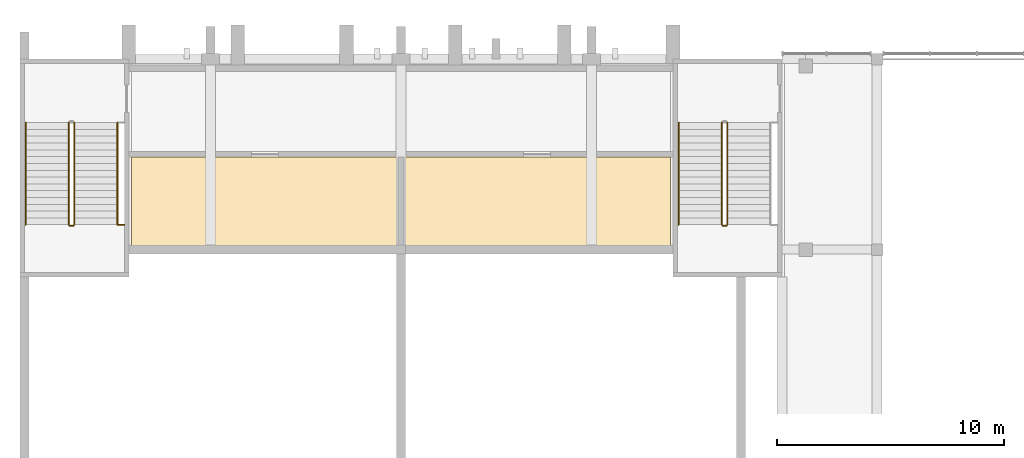
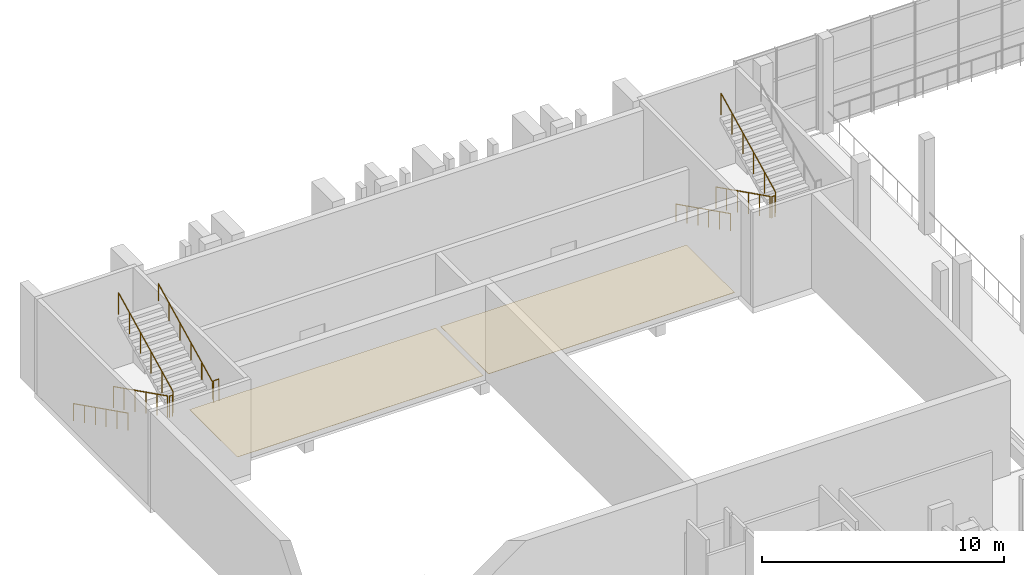
# One storey, part 90 of 100: 10 railings, 2 coverings.
"""IFC4 building model written with IfcOpenShell, lengths in metres."""

from ifc_helpers import new_model, si_unit, direction, frame, origin, origin_2d, place, context, subcontext, project, spatial, polyline, circle, outline, extrude, material, layer, layer_set, type_object, element, save


model = new_model("IFC4")

# Units and contexts
model_context = context("Model", 3, precision=1e-05, world=origin(), true_north=direction((0.0, 1.0)))
body_context = subcontext(model_context, "Body", "Model", "MODEL_VIEW")
ifc_project = project(units=[si_unit("LENGTHUNIT", "METRE"), si_unit("AREAUNIT", "SQUARE_METRE"), si_unit("VOLUMEUNIT", "CUBIC_METRE"), si_unit("PLANEANGLEUNIT", "RADIAN"), si_unit("MASSUNIT", "GRAM", prefix="KILO")], contexts=[model_context])

# Site, building, storey
site_placement = place(None, origin())
site = spatial("IfcSite", under=ifc_project, at=site_placement, CompositionType="ELEMENT")
building_placement = place(site_placement, origin())
building = spatial("IfcBuilding", under=site, at=building_placement, Name="Kiln Court Media Centre", CompositionType="ELEMENT")
storey_placement = place(building_placement, frame((0.0, 0.0, 15.0)))
storey = spatial("IfcBuildingStorey", under=building, at=storey_placement, Name="L03", CompositionType="ELEMENT", Elevation=15.0)

# Coverings
ifc_material_1 = material(Name="Carpet tile")
ifc_layer = layer(ifc_material_1, 0.014892578125)
ifc_layer_set = layer_set([ifc_layer], Name="Carpet tile floor finish 15")
covering_type = type_object("IfcCoveringType", Name="Carpet tile floor finish 15", PredefinedType="FLOORING", material=ifc_layer_set)
covering_1_placement = place(storey_placement, origin())
element("IfcCovering", 1, at=covering_1_placement, inside=storey, type_object=covering_type, Name="Projection Room Screen 5 floor finish", PredefinedType="FLOORING", context=body_context, shape_type="SweptSolid", body=[
    extrude(outline(polyline([(16.679931640625, 62.8798828125), (4.919921875, 62.8798828125), (4.919921875, 58.919921875), (16.679931640625, 58.919921875), (16.679931640625, 62.8798828125)])), origin(), (0.0, 0.0, 1.0), 0.014892578125),
])
covering_2_placement = place(storey_placement, origin())
element("IfcCovering", 2, at=covering_2_placement, inside=storey, type_object=covering_type, Name="Projection Room Screen 6 floor finish", PredefinedType="FLOORING", context=body_context, shape_type="SweptSolid", body=[
    extrude(outline(polyline([(16.919921875, 58.919921875), (28.679931640625, 58.919921875), (28.679931640625, 62.8798828125), (16.919921875, 62.8798828125), (16.919921875, 58.919921875)])), origin(), (0.0, 0.0, 1.0), 0.014892578125),
])

# Railings
ifc_material_2 = material(Name="Steel S275", Category="steel")
railing_type_1 = type_object("IfcRailingType", Name="Steel S275 stair guard 1100", PredefinedType="GUARDRAIL", material=ifc_material_2)
railing_1_placement = place(storey_placement, frame((2.14990234375, 64.39990234375, 0.14990234375)))
element("IfcRailing", 3, at=railing_1_placement, inside=storey, type_object=railing_type_1, Name="ST-07 stair guard", PredefinedType="GUARDRAIL", context=body_context, shape_type="SweptSolid", body=[
    extrude(circle(Radius=0.02392578125, at=origin_2d()), frame((0.0, 0.0, 1.076171875), z_axis=(0.0, -0.894427191, 0.4472135955), x_axis=(1.0, 0.0, 0.0)), (0.0, 0.0, 1.0), 5.03125),
    extrude(circle(Radius=0.02099609375, at=origin_2d()), origin(), (0.0, 0.0, 1.0), 1.052001953125),
    extrude(circle(Radius=0.02099609375, at=origin_2d()), frame((0.0, -0.89990234375, 0.449951171875)), (0.0, 0.0, 1.0), 1.052001953125),
    extrude(circle(Radius=0.02099609375, at=origin_2d()), frame((0.0, -1.800048828125, 0.89990234375)), (0.0, 0.0, 1.0), 1.052001953125),
    extrude(circle(Radius=0.02099609375, at=origin_2d()), frame((0.0, -2.699951171875, 1.35009765625)), (0.0, 0.0, 1.0), 1.052001953125),
    extrude(circle(Radius=0.02099609375, at=origin_2d()), frame((0.0, -3.60009765625, 1.800048828125)), (0.0, 0.0, 1.0), 1.052001953125),
    extrude(circle(Radius=0.02099609375, at=origin_2d()), frame((0.0, -4.5, 2.25)), (0.0, 0.0, 1.0), 1.052001953125),
])
railing_2_placement = place(storey_placement, frame((2.199951171875, 59.85009765625, 2.39990234375)))
element("IfcRailing", 4, at=railing_2_placement, inside=storey, type_object=railing_type_1, Name="ST-07 stair guard", PredefinedType="GUARDRAIL", context=body_context, shape_type="SweptSolid", body=[
    extrude(circle(Radius=0.02392578125, at=origin_2d()), frame((0.0, 0.0, 1.076171875), z_axis=(1.0, 0.0, 0.0), x_axis=(0.0, 1.0, 0.0)), (0.0, 0.0, 1.0), 0.150146484375),
    extrude(circle(Radius=0.02099609375, at=origin_2d()), origin(), (0.0, 0.0, 1.0), 1.052001953125),
    extrude(circle(Radius=0.02099609375, at=origin_2d()), frame((0.150146484375, 0.0, 0.0)), (0.0, 0.0, 1.0), 1.052001953125),
])
railing_3_placement = place(storey_placement, frame((2.39990234375, 59.89990234375, 2.550048828125)))
element("IfcRailing", 5, at=railing_3_placement, inside=storey, type_object=railing_type_1, Name="ST-07 stair guard", PredefinedType="GUARDRAIL", context=body_context, shape_type="SweptSolid", body=[
    extrude(circle(Radius=0.02392578125, at=origin_2d()), frame((0.0, 0.0, 1.076171875), z_axis=(0.0, 0.894427191, 0.4472135955), x_axis=(-1.0, 0.0, 0.0)), (0.0, 0.0, 1.0), 5.03125),
    extrude(circle(Radius=0.02099609375, at=origin_2d()), origin(), (0.0, 0.0, 1.0), 1.052001953125),
    extrude(circle(Radius=0.02099609375, at=origin_2d()), frame((0.0, 0.89990234375, 0.449951171875)), (0.0, 0.0, 1.0), 1.052001953125),
    extrude(circle(Radius=0.02099609375, at=origin_2d()), frame((0.0, 1.800048828125, 0.89990234375)), (0.0, 0.0, 1.0), 1.052001953125),
    extrude(circle(Radius=0.02099609375, at=origin_2d()), frame((0.0, 2.699951171875, 1.35009765625)), (0.0, 0.0, 1.0), 1.052001953125),
    extrude(circle(Radius=0.02099609375, at=origin_2d()), frame((0.0, 3.60009765625, 1.800048828125)), (0.0, 0.0, 1.0), 1.052001953125),
    extrude(circle(Radius=0.02099609375, at=origin_2d()), frame((0.0, 4.5, 2.25)), (0.0, 0.0, 1.0), 1.052001953125),
])
railing_4_placement = place(storey_placement, frame((4.35009765625, 59.89990234375, 2.39990234375)))
element("IfcRailing", 6, at=railing_4_placement, inside=storey, type_object=railing_type_1, Name="ST-07 landing edge guard", PredefinedType="GUARDRAIL", context=body_context, shape_type="SweptSolid", body=[
    extrude(circle(Radius=0.02392578125, at=origin_2d()), frame((0.0, 0.0, 1.076171875), z_axis=(1.0, 0.0, 0.0), x_axis=(0.0, 1.0, 0.0)), (0.0, 0.0, 1.0), 0.25),
    extrude(circle(Radius=0.02099609375, at=origin_2d()), origin(), (0.0, 0.0, 1.0), 1.052001953125),
    extrude(circle(Radius=0.02099609375, at=origin_2d()), frame((0.25, 0.0, 0.0)), (0.0, 0.0, 1.0), 1.052001953125),
])
railing_5_placement = place(storey_placement, frame((30.949951171875, 64.39990234375, 0.14990234375)))
element("IfcRailing", 7, at=railing_5_placement, inside=storey, type_object=railing_type_1, Name="ST-08 stair guard", PredefinedType="GUARDRAIL", context=body_context, shape_type="SweptSolid", body=[
    extrude(circle(Radius=0.02392578125, at=origin_2d()), frame((0.0, 0.0, 1.076171875), z_axis=(0.0, -0.894427191, 0.4472135955), x_axis=(1.0, 0.0, 0.0)), (0.0, 0.0, 1.0), 5.03125),
    extrude(circle(Radius=0.02099609375, at=origin_2d()), origin(), (0.0, 0.0, 1.0), 1.052001953125),
    extrude(circle(Radius=0.02099609375, at=origin_2d()), frame((0.0, -0.89990234375, 0.449951171875)), (0.0, 0.0, 1.0), 1.052001953125),
    extrude(circle(Radius=0.02099609375, at=origin_2d()), frame((0.0, -1.800048828125, 0.89990234375)), (0.0, 0.0, 1.0), 1.052001953125),
    extrude(circle(Radius=0.02099609375, at=origin_2d()), frame((0.0, -2.699951171875, 1.35009765625)), (0.0, 0.0, 1.0), 1.052001953125),
    extrude(circle(Radius=0.02099609375, at=origin_2d()), frame((0.0, -3.60009765625, 1.800048828125)), (0.0, 0.0, 1.0), 1.052001953125),
    extrude(circle(Radius=0.02099609375, at=origin_2d()), frame((0.0, -4.5, 2.25)), (0.0, 0.0, 1.0), 1.052001953125),
])
railing_6_placement = place(storey_placement, frame((31.0, 59.85009765625, 2.39990234375)))
element("IfcRailing", 8, at=railing_6_placement, inside=storey, type_object=railing_type_1, Name="ST-08 stair guard", PredefinedType="GUARDRAIL", context=body_context, shape_type="SweptSolid", body=[
    extrude(circle(Radius=0.02392578125, at=origin_2d()), frame((0.0, 0.0, 1.076171875), z_axis=(1.0, 0.0, 0.0), x_axis=(0.0, 1.0, 0.0)), (0.0, 0.0, 1.0), 0.14990234375),
    extrude(circle(Radius=0.02099609375, at=origin_2d()), origin(), (0.0, 0.0, 1.0), 1.052001953125),
    extrude(circle(Radius=0.02099609375, at=origin_2d()), frame((0.14990234375, 0.0, 0.0)), (0.0, 0.0, 1.0), 1.052001953125),
])
railing_7_placement = place(storey_placement, frame((31.199951171875, 59.89990234375, 2.550048828125)))
element("IfcRailing", 9, at=railing_7_placement, inside=storey, type_object=railing_type_1, Name="ST-08 stair guard", PredefinedType="GUARDRAIL", context=body_context, shape_type="SweptSolid", body=[
    extrude(circle(Radius=0.02392578125, at=origin_2d()), frame((0.0, 0.0, 1.076171875), z_axis=(0.0, 0.894427191, 0.4472135955), x_axis=(-1.0, 0.0, 0.0)), (0.0, 0.0, 1.0), 5.03125),
    extrude(circle(Radius=0.02099609375, at=origin_2d()), origin(), (0.0, 0.0, 1.0), 1.052001953125),
    extrude(circle(Radius=0.02099609375, at=origin_2d()), frame((0.0, 0.89990234375, 0.449951171875)), (0.0, 0.0, 1.0), 1.052001953125),
    extrude(circle(Radius=0.02099609375, at=origin_2d()), frame((0.0, 1.800048828125, 0.89990234375)), (0.0, 0.0, 1.0), 1.052001953125),
    extrude(circle(Radius=0.02099609375, at=origin_2d()), frame((0.0, 2.699951171875, 1.35009765625)), (0.0, 0.0, 1.0), 1.052001953125),
    extrude(circle(Radius=0.02099609375, at=origin_2d()), frame((0.0, 3.60009765625, 1.800048828125)), (0.0, 0.0, 1.0), 1.052001953125),
    extrude(circle(Radius=0.02099609375, at=origin_2d()), frame((0.0, 4.5, 2.25)), (0.0, 0.0, 1.0), 1.052001953125),
])
ifc_material_3 = material(Name="Steel S275", Category="steel")
railing_type_2 = type_object("IfcRailingType", Name="Steel S275 stair handrail 900", PredefinedType="HANDRAIL", material=ifc_material_3)
railing_8_placement = place(storey_placement, frame((0.25, 64.39990234375, 0.14990234375)))
element("IfcRailing", 10, at=railing_8_placement, inside=storey, type_object=railing_type_2, Name="ST-07 stair handrail", PredefinedType="HANDRAIL", context=body_context, shape_type="SweptSolid", body=[
    extrude(circle(Radius=0.02392578125, at=origin_2d()), frame((0.0, 0.0, 0.8759765625), z_axis=(0.0, -0.894427191, 0.4472135955), x_axis=(1.0, 0.0, 0.0)), (0.0, 0.0, 1.0), 5.03125),
    extrude(circle(Radius=0.02099609375, at=origin_2d()), origin(), (0.0, 0.0, 1.0), 0.851806640625),
    extrude(circle(Radius=0.02099609375, at=origin_2d()), frame((0.0, -0.89990234375, 0.449951171875)), (0.0, 0.0, 1.0), 0.851806640625),
    extrude(circle(Radius=0.02099609375, at=origin_2d()), frame((0.0, -1.800048828125, 0.89990234375)), (0.0, 0.0, 1.0), 0.851806640625),
    extrude(circle(Radius=0.02099609375, at=origin_2d()), frame((0.0, -2.699951171875, 1.35009765625)), (0.0, 0.0, 1.0), 0.851806640625),
    extrude(circle(Radius=0.02099609375, at=origin_2d()), frame((0.0, -3.60009765625, 1.800048828125)), (0.0, 0.0, 1.0), 0.851806640625),
    extrude(circle(Radius=0.02099609375, at=origin_2d()), frame((0.0, -4.5, 2.25)), (0.0, 0.0, 1.0), 0.851806640625),
])
railing_9_placement = place(storey_placement, frame((4.300048828125, 59.89990234375, 2.550048828125)))
element("IfcRailing", 11, at=railing_9_placement, inside=storey, type_object=railing_type_2, Name="ST-07 stair handrail", PredefinedType="HANDRAIL", context=body_context, shape_type="SweptSolid", body=[
    extrude(circle(Radius=0.02392578125, at=origin_2d()), frame((0.0, 0.0, 0.8759765625), z_axis=(0.0, 0.894427191, 0.4472135955), x_axis=(-1.0, 0.0, 0.0)), (0.0, 0.0, 1.0), 5.03125),
    extrude(circle(Radius=0.02099609375, at=origin_2d()), origin(), (0.0, 0.0, 1.0), 0.851806640625),
    extrude(circle(Radius=0.02099609375, at=origin_2d()), frame((0.0, 0.89990234375, 0.449951171875)), (0.0, 0.0, 1.0), 0.851806640625),
    extrude(circle(Radius=0.02099609375, at=origin_2d()), frame((0.0, 1.800048828125, 0.89990234375)), (0.0, 0.0, 1.0), 0.851806640625),
    extrude(circle(Radius=0.02099609375, at=origin_2d()), frame((0.0, 2.699951171875, 1.35009765625)), (0.0, 0.0, 1.0), 0.851806640625),
    extrude(circle(Radius=0.02099609375, at=origin_2d()), frame((0.0, 3.60009765625, 1.800048828125)), (0.0, 0.0, 1.0), 0.851806640625),
    extrude(circle(Radius=0.02099609375, at=origin_2d()), frame((0.0, 4.5, 2.25)), (0.0, 0.0, 1.0), 0.851806640625),
])
railing_10_placement = place(storey_placement, frame((29.050048828125, 64.39990234375, 0.14990234375)))
element("IfcRailing", 12, at=railing_10_placement, inside=storey, type_object=railing_type_2, Name="ST-08 stair handrail", PredefinedType="HANDRAIL", context=body_context, shape_type="SweptSolid", body=[
    extrude(circle(Radius=0.02392578125, at=origin_2d()), frame((0.0, 0.0, 0.8759765625), z_axis=(0.0, -0.894427191, 0.4472135955), x_axis=(1.0, 0.0, 0.0)), (0.0, 0.0, 1.0), 5.03125),
    extrude(circle(Radius=0.02099609375, at=origin_2d()), origin(), (0.0, 0.0, 1.0), 0.851806640625),
    extrude(circle(Radius=0.02099609375, at=origin_2d()), frame((0.0, -0.89990234375, 0.449951171875)), (0.0, 0.0, 1.0), 0.851806640625),
    extrude(circle(Radius=0.02099609375, at=origin_2d()), frame((0.0, -1.800048828125, 0.89990234375)), (0.0, 0.0, 1.0), 0.851806640625),
    extrude(circle(Radius=0.02099609375, at=origin_2d()), frame((0.0, -2.699951171875, 1.35009765625)), (0.0, 0.0, 1.0), 0.851806640625),
    extrude(circle(Radius=0.02099609375, at=origin_2d()), frame((0.0, -3.60009765625, 1.800048828125)), (0.0, 0.0, 1.0), 0.851806640625),
    extrude(circle(Radius=0.02099609375, at=origin_2d()), frame((0.0, -4.5, 2.25)), (0.0, 0.0, 1.0), 0.851806640625),
])

save(model, "model.ifc")
